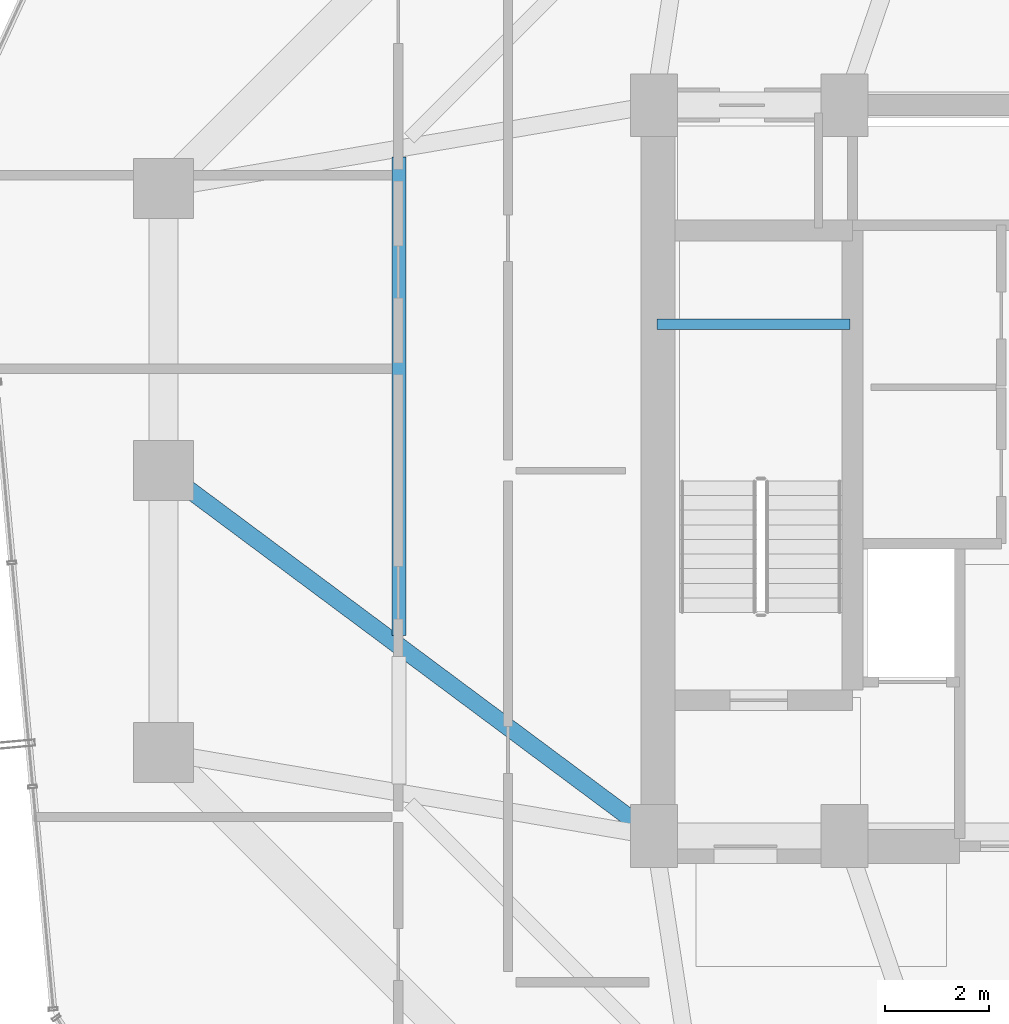
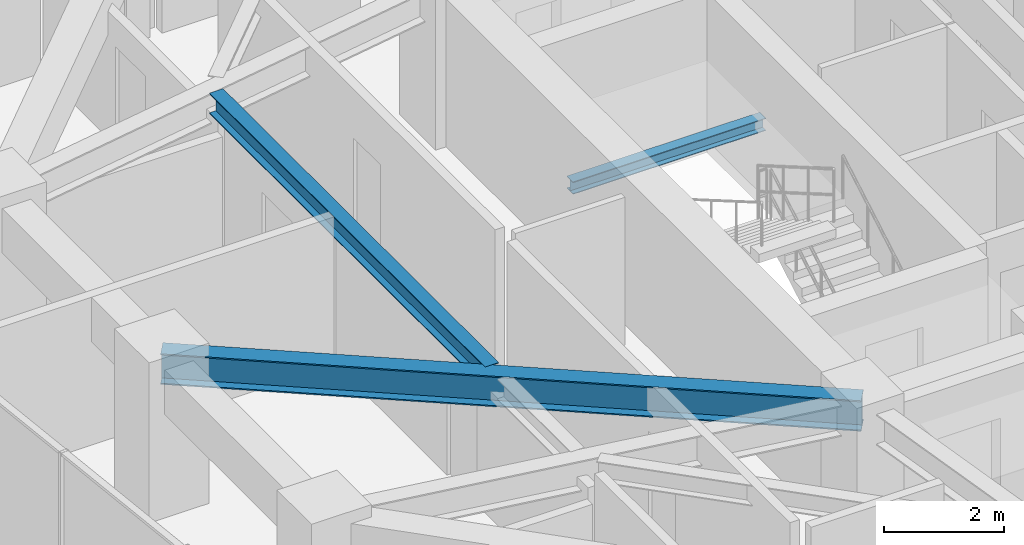
# One storey, part 12 of 33: 3 beams.
"""IFC4 building model written with IfcOpenShell, lengths in metres."""

from ifc_helpers import new_model, si_unit, direction, frame, origin, origin_2d, place, context, subcontext, project, spatial, i_section, extrude, material, material_profile, profile_set, type_object, element, save


model = new_model("IFC4")

# Units and contexts
model_context = context("Model", 3, precision=1e-05, world=origin(), true_north=direction((0.0, 1.0)))
body_context = subcontext(model_context, "Body", "Model", "MODEL_VIEW")
ifc_project = project(units=[si_unit("LENGTHUNIT", "METRE"), si_unit("AREAUNIT", "SQUARE_METRE"), si_unit("VOLUMEUNIT", "CUBIC_METRE"), si_unit("PLANEANGLEUNIT", "RADIAN"), si_unit("MASSUNIT", "GRAM", prefix="KILO")], contexts=[model_context])

# Site, building, storey
site_placement = place(None, origin())
site = spatial("IfcSite", under=ifc_project, at=site_placement, CompositionType="ELEMENT")
building_placement = place(site_placement, origin())
building = spatial("IfcBuilding", under=site, at=building_placement, Name="Veraguas Prism Commons", CompositionType="ELEMENT")
storey_placement = place(building_placement, frame((0.0, 0.0, 145.75)))
storey = spatial("IfcBuildingStorey", under=building, at=storey_placement, Name="L41", CompositionType="ELEMENT", Elevation=145.75)

# Beams
ifc_material = material(Name="Steel ASTM A992 Grade 50", Category="steel")
ifc_material_profile_1 = material_profile(ifc_material, i_section(OverallWidth=0.260986328125, OverallDepth=0.419921875, WebThickness=0.01171875, FlangeThickness=0.019287109375, at=origin_2d()), Name="W410X114")
ifc_profile_set_1 = profile_set([ifc_material_profile_1], Name="Steel ASTM A992 Grade 50")
beam_type_1 = type_object("IfcBeamType", Name="Lower Floor Joist W410x114", PredefinedType="JOIST", material=ifc_profile_set_1)
beam_1_placement = place(storey_placement, frame((12.31201171875, 30.003662109375, 2.7900390625), z_axis=(0.0, -1.0, 0.0), x_axis=(1.0, 0.0, 0.0)))
element("IfcBeam", 1, at=beam_1_placement, inside=storey, type_object=beam_type_1, Name="Composite Floor Joist L41-JS07", PredefinedType="JOIST", context=body_context, shape_type="SweptSolid", body=[
    extrude(i_section(OverallWidth=0.260986328125, OverallDepth=0.419921875, WebThickness=0.01171875, FlangeThickness=0.019287109375, at=origin_2d()), origin(), (0.0, 0.0, 1.0), 9.16162109375),
])
ifc_material_profile_2 = material_profile(ifc_material, i_section(OverallWidth=0.202880859375, OverallDepth=0.251953125, WebThickness=0.008056640625, FlangeThickness=0.013427734375, at=origin_2d()), Name="W250X58")
ifc_profile_set_2 = profile_set([ifc_material_profile_2], Name="Steel ASTM A992 Grade 50")
beam_type_2 = type_object("IfcBeamType", Name="Structural Opening Lintel W250x58", PredefinedType="LINTEL", material=ifc_profile_set_2)
beam_2_placement = place(storey_placement, frame((17.25, 26.800048828125, 1.299072265625), z_axis=(1.0, 0.0, 0.0), x_axis=(0.0, 1.0, 0.0)))
element("IfcBeam", 2, at=beam_2_placement, inside=storey, type_object=beam_type_2, Name="Stair ST-01 Half-Landing Support Beam L41-1", PredefinedType="LINTEL", context=body_context, shape_type="SweptSolid", body=[
    extrude(i_section(OverallWidth=0.202880859375, OverallDepth=0.251953125, WebThickness=0.008056640625, FlangeThickness=0.013427734375, at=origin_2d()), origin(), (0.0, 0.0, 1.0), 3.699951171875),
])
ifc_material_profile_3 = material_profile(ifc_material, i_section(OverallWidth=0.327880859375, OverallDepth=0.6220703125, WebThickness=0.015380859375, FlangeThickness=0.0244140625, at=origin_2d()), Name="W610X195")
ifc_profile_set_3 = profile_set([ifc_material_profile_3], Name="Steel ASTM A992 Grade 50")
beam_type_3 = type_object("IfcBeamType", Name="Zone 2 Radial Girder W610x195", PredefinedType="BEAM", material=ifc_profile_set_3)
beam_3_placement = place(storey_placement, frame((7.800048828125, 24.0, 2.68896484375), z_axis=(0.802040137921, -0.597270137512, 0.0), x_axis=(0.597270137512, 0.802040137921, 0.0)))
element("IfcBeam", 3, at=beam_3_placement, inside=storey, type_object=beam_type_3, Name="Radial Floor Girder L41-RD08", PredefinedType="BEAM", context=body_context, shape_type="SweptSolid", body=[
    extrude(i_section(OverallWidth=0.327880859375, OverallDepth=0.6220703125, WebThickness=0.015380859375, FlangeThickness=0.0244140625, at=origin_2d()), origin(), (0.0, 0.0, 1.0), 11.719970703125),
])

save(model, "model.ifc")
